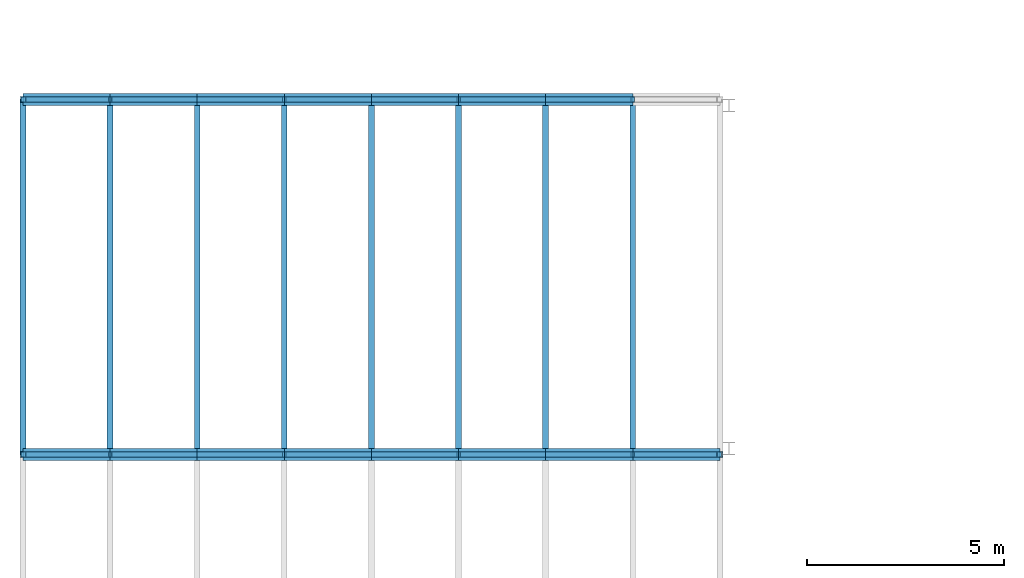
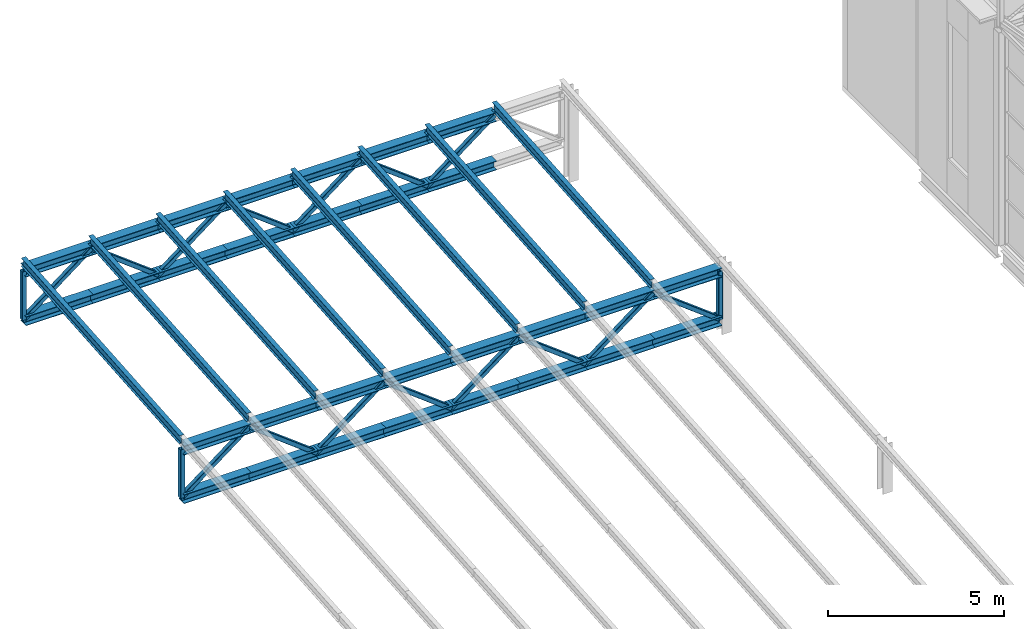
# One storey, part 38 of 90: 56 members.
"""IFC4 building model written with IfcOpenShell, lengths in metres."""

from ifc_helpers import new_model, si_unit, direction, frame, origin, origin_2d, place, context, subcontext, project, spatial, hollow_rectangle, i_section, extrude, material, material_profile, profile_set, type_object, element, save


model = new_model("IFC4")

# Units and contexts
model_context = context("Model", 3, precision=1e-05, world=origin(), true_north=direction((0.0, 1.0)))
body_context = subcontext(model_context, "Body", "Model", "MODEL_VIEW")
ifc_project = project(units=[si_unit("LENGTHUNIT", "METRE"), si_unit("AREAUNIT", "SQUARE_METRE"), si_unit("VOLUMEUNIT", "CUBIC_METRE"), si_unit("PLANEANGLEUNIT", "RADIAN"), si_unit("MASSUNIT", "GRAM", prefix="KILO")], contexts=[model_context])

# Site, building, storey
site_placement = place(None, origin())
site = spatial("IfcSite", under=ifc_project, at=site_placement, CompositionType="ELEMENT")
building_placement = place(site_placement, origin())
building = spatial("IfcBuilding", under=site, at=building_placement, Name="Halyard Row Museum", CompositionType="ELEMENT")
storey_placement = place(building_placement, frame((0.0, 0.0, 13.39990234375)))
storey = spatial("IfcBuildingStorey", under=building, at=storey_placement, Name="L03", CompositionType="ELEMENT", Elevation=13.39990234375)

# Members
ifc_material_1 = material(Name="Steel Grade 300", Category="steel")
ifc_material_profile_1 = material_profile(ifc_material_1, i_section(OverallWidth=0.14892578125, OverallDepth=0.298095703125, WebThickness=0.005615234375, FlangeThickness=0.008056640625, FilletRadius=0.012939453125, at=origin_2d()), Name="310UB32.0")
ifc_profile_set_1 = profile_set([ifc_material_profile_1], Name="Steel Grade 300")
member_type_1 = type_object("IfcMemberType", Name="Hall roof purlin 310UB32.0", PredefinedType="PURLIN", material=ifc_profile_set_1)
for number, where, z_axis, x_axis, name in (
    (1, (0.10009765625, 36.0, 2.580078125), (0.0, 0.996815536467, 0.079741998075), (-1.0, 0.0, 0.0), "Hall roof purlin H3 1"),
    (2, (2.30859375, 36.0, 2.580078125), (0.0, 0.996815536467, 0.079741998075), (-1.0, 0.0, 0.0), "Hall roof purlin H3 2"),
    (3, (4.517333984375, 36.0, 2.580078125), (0.0, 0.996815536467, 0.079741998075), (-1.0, 0.0, 0.0), "Hall roof purlin H3 3"),
    (4, (6.72607421875, 36.0, 2.580078125), (0.0, 0.996815536467, 0.079741998075), (-1.0, 0.0, 0.0), "Hall roof purlin H3 4"),
    (5, (8.934814453125, 36.0, 2.580078125), (0.0, 0.996815536467, 0.079741998075), (-1.0, 0.0, 0.0), "Hall roof purlin H3 5"),
    (6, (11.1435546875, 36.0, 2.580078125), (0.0, 0.996815536467, 0.079741998075), (-1.0, 0.0, 0.0), "Hall roof purlin H3 6"),
    (7, (13.35205078125, 36.0, 2.580078125), (0.0, 0.996815536467, 0.079741998075), (-1.0, 0.0, 0.0), "Hall roof purlin H3 7"),
    (8, (15.560791015625, 36.0, 2.580078125), (0.0, 0.996815536467, 0.079741998075), (-1.0, 0.0, 0.0), "Hall roof purlin H3 8"),
):
    element("IfcMember", number, at=place(storey_placement, frame(where, z_axis=z_axis, x_axis=x_axis)), inside=storey, type_object=member_type_1, Name=name, PredefinedType="PURLIN", context=body_context, shape_type="SweptSolid", body=[
        extrude(i_section(OverallWidth=0.14892578125, OverallDepth=0.298095703125, WebThickness=0.005615234375, FlangeThickness=0.008056640625, FilletRadius=0.012939453125, at=origin_2d()), origin(), (0.0, 0.0, 1.0), 9.02880859375),
    ])
ifc_material_2 = material(Name="Steel Grade 300", Category="steel")
ifc_material_profile_2 = material_profile(ifc_material_2, i_section(OverallWidth=0.306884765625, OverallDepth=0.314697265625, WebThickness=0.011962890625, FlangeThickness=0.018798828125, FilletRadius=0.0166015625, at=origin_2d()), Name="310UC118")
ifc_profile_set_2 = profile_set([ifc_material_profile_2], Name="Steel Grade 300")
member_type_2 = type_object("IfcMemberType", Name="Truss chord 310UC118 bottom hall", PredefinedType="CHORD", material=ifc_profile_set_2)
member_1_placement = place(storey_placement, frame((0.10009765625, 36.0, 0.587890625), z_axis=(1.0, 0.0, 0.0), x_axis=(0.0, 1.0, 0.0)))
element("IfcMember", 9, at=member_1_placement, inside=storey, type_object=member_type_2, Name="V3-RT3 bottom chord 1", PredefinedType="CHORD", context=body_context, shape_type="SweptSolid", body=[
    extrude(i_section(OverallWidth=0.306884765625, OverallDepth=0.314697265625, WebThickness=0.011962890625, FlangeThickness=0.018798828125, FilletRadius=0.0166015625, at=origin_2d()), origin(), (0.0, 0.0, 1.0), 2.20849609375),
])
for number, where, z_axis, x_axis, name in (
    (10, (2.30859375, 36.0, 0.587890625), (1.0, 0.0, 0.0), (0.0, 1.0, 0.0), "V3-RT3 bottom chord 2"),
    (11, (4.517333984375, 36.0, 0.587890625), (1.0, 0.0, 0.0), (0.0, 1.0, 0.0), "V3-RT3 bottom chord 3"),
    (12, (6.72607421875, 36.0, 0.587890625), (1.0, 0.0, 0.0), (0.0, 1.0, 0.0), "V3-RT3 bottom chord 4"),
    (13, (8.934814453125, 36.0, 0.587890625), (1.0, 0.0, 0.0), (0.0, 1.0, 0.0), "V3-RT3 bottom chord 5"),
):
    element("IfcMember", number, at=place(storey_placement, frame(where, z_axis=z_axis, x_axis=x_axis)), inside=storey, type_object=member_type_2, Name=name, PredefinedType="CHORD", context=body_context, shape_type="SweptSolid", body=[
        extrude(i_section(OverallWidth=0.306884765625, OverallDepth=0.314697265625, WebThickness=0.011962890625, FlangeThickness=0.018798828125, FilletRadius=0.0166015625, at=origin_2d()), origin(), (0.0, 0.0, 1.0), 2.208740234375),
    ])
member_2_placement = place(storey_placement, frame((11.1435546875, 36.0, 0.587890625), z_axis=(1.0, 0.0, 0.0), x_axis=(0.0, 1.0, 0.0)))
element("IfcMember", 14, at=member_2_placement, inside=storey, type_object=member_type_2, Name="V3-RT3 bottom chord 6", PredefinedType="CHORD", context=body_context, shape_type="SweptSolid", body=[
    extrude(i_section(OverallWidth=0.306884765625, OverallDepth=0.314697265625, WebThickness=0.011962890625, FlangeThickness=0.018798828125, FilletRadius=0.0166015625, at=origin_2d()), origin(), (0.0, 0.0, 1.0), 2.20849609375),
])
for number, where, z_axis, x_axis, name in (
    (15, (13.35205078125, 36.0, 0.587890625), (1.0, 0.0, 0.0), (0.0, 1.0, 0.0), "V3-RT3 bottom chord 7"),
    (16, (15.560791015625, 36.0, 0.587890625), (1.0, 0.0, 0.0), (0.0, 1.0, 0.0), "V3-RT3 bottom chord 8"),
):
    element("IfcMember", number, at=place(storey_placement, frame(where, z_axis=z_axis, x_axis=x_axis)), inside=storey, type_object=member_type_2, Name=name, PredefinedType="CHORD", context=body_context, shape_type="SweptSolid", body=[
        extrude(i_section(OverallWidth=0.306884765625, OverallDepth=0.314697265625, WebThickness=0.011962890625, FlangeThickness=0.018798828125, FilletRadius=0.0166015625, at=origin_2d()), origin(), (0.0, 0.0, 1.0), 2.208740234375),
    ])
member_3_placement = place(storey_placement, frame((0.10009765625, 45.0, 1.307861328125), z_axis=(1.0, 0.0, 0.0), x_axis=(0.0, 1.0, 0.0)))
element("IfcMember", 17, at=member_3_placement, inside=storey, type_object=member_type_2, Name="V3-RT4 bottom chord 1", PredefinedType="CHORD", context=body_context, shape_type="SweptSolid", body=[
    extrude(i_section(OverallWidth=0.306884765625, OverallDepth=0.314697265625, WebThickness=0.011962890625, FlangeThickness=0.018798828125, FilletRadius=0.0166015625, at=origin_2d()), origin(), (0.0, 0.0, 1.0), 2.20849609375),
])
for number, where, z_axis, x_axis, name in (
    (18, (2.30859375, 45.0, 1.307861328125), (1.0, 0.0, 0.0), (0.0, 1.0, 0.0), "V3-RT4 bottom chord 2"),
    (19, (4.517333984375, 45.0, 1.307861328125), (1.0, 0.0, 0.0), (0.0, 1.0, 0.0), "V3-RT4 bottom chord 3"),
    (20, (6.72607421875, 45.0, 1.307861328125), (1.0, 0.0, 0.0), (0.0, 1.0, 0.0), "V3-RT4 bottom chord 4"),
    (21, (8.934814453125, 45.0, 1.307861328125), (1.0, 0.0, 0.0), (0.0, 1.0, 0.0), "V3-RT4 bottom chord 5"),
):
    element("IfcMember", number, at=place(storey_placement, frame(where, z_axis=z_axis, x_axis=x_axis)), inside=storey, type_object=member_type_2, Name=name, PredefinedType="CHORD", context=body_context, shape_type="SweptSolid", body=[
        extrude(i_section(OverallWidth=0.306884765625, OverallDepth=0.314697265625, WebThickness=0.011962890625, FlangeThickness=0.018798828125, FilletRadius=0.0166015625, at=origin_2d()), origin(), (0.0, 0.0, 1.0), 2.208740234375),
    ])
member_4_placement = place(storey_placement, frame((11.1435546875, 45.0, 1.307861328125), z_axis=(1.0, 0.0, 0.0), x_axis=(0.0, 1.0, 0.0)))
element("IfcMember", 22, at=member_4_placement, inside=storey, type_object=member_type_2, Name="V3-RT4 bottom chord 6", PredefinedType="CHORD", context=body_context, shape_type="SweptSolid", body=[
    extrude(i_section(OverallWidth=0.306884765625, OverallDepth=0.314697265625, WebThickness=0.011962890625, FlangeThickness=0.018798828125, FilletRadius=0.0166015625, at=origin_2d()), origin(), (0.0, 0.0, 1.0), 2.20849609375),
])
member_5_placement = place(storey_placement, frame((13.35205078125, 45.0, 1.307861328125), z_axis=(1.0, 0.0, 0.0), x_axis=(0.0, 1.0, 0.0)))
element("IfcMember", 23, at=member_5_placement, inside=storey, type_object=member_type_2, Name="V3-RT4 bottom chord 7", PredefinedType="CHORD", context=body_context, shape_type="SweptSolid", body=[
    extrude(i_section(OverallWidth=0.306884765625, OverallDepth=0.314697265625, WebThickness=0.011962890625, FlangeThickness=0.018798828125, FilletRadius=0.0166015625, at=origin_2d()), origin(), (0.0, 0.0, 1.0), 2.208740234375),
])
ifc_material_3 = material(Name="Steel Grade 300", Category="steel")
ifc_material_profile_3 = material_profile(ifc_material_3, i_section(OverallWidth=0.306884765625, OverallDepth=0.314697265625, WebThickness=0.011962890625, FlangeThickness=0.018798828125, FilletRadius=0.0166015625, at=origin_2d()), Name="310UC118")
ifc_profile_set_3 = profile_set([ifc_material_profile_3], Name="Steel Grade 300")
member_type_3 = type_object("IfcMemberType", Name="Truss chord 310UC118 top hall", PredefinedType="CHORD", material=ifc_profile_set_3)
member_6_placement = place(storey_placement, frame((0.10009765625, 36.0, 2.2734375), z_axis=(1.0, 0.0, 0.0), x_axis=(0.0, 1.0, 0.0)))
element("IfcMember", 24, at=member_6_placement, inside=storey, type_object=member_type_3, Name="V3-RT3 top chord 1", PredefinedType="CHORD", context=body_context, shape_type="SweptSolid", body=[
    extrude(i_section(OverallWidth=0.306884765625, OverallDepth=0.314697265625, WebThickness=0.011962890625, FlangeThickness=0.018798828125, FilletRadius=0.0166015625, at=origin_2d()), origin(), (0.0, 0.0, 1.0), 2.20849609375),
])
for number, where, z_axis, x_axis, name in (
    (25, (2.30859375, 36.0, 2.2734375), (1.0, 0.0, 0.0), (0.0, 1.0, 0.0), "V3-RT3 top chord 2"),
    (26, (4.517333984375, 36.0, 2.2734375), (1.0, 0.0, 0.0), (0.0, 1.0, 0.0), "V3-RT3 top chord 3"),
    (27, (6.72607421875, 36.0, 2.2734375), (1.0, 0.0, 0.0), (0.0, 1.0, 0.0), "V3-RT3 top chord 4"),
    (28, (8.934814453125, 36.0, 2.2734375), (1.0, 0.0, 0.0), (0.0, 1.0, 0.0), "V3-RT3 top chord 5"),
):
    element("IfcMember", number, at=place(storey_placement, frame(where, z_axis=z_axis, x_axis=x_axis)), inside=storey, type_object=member_type_3, Name=name, PredefinedType="CHORD", context=body_context, shape_type="SweptSolid", body=[
        extrude(i_section(OverallWidth=0.306884765625, OverallDepth=0.314697265625, WebThickness=0.011962890625, FlangeThickness=0.018798828125, FilletRadius=0.0166015625, at=origin_2d()), origin(), (0.0, 0.0, 1.0), 2.208740234375),
    ])
member_7_placement = place(storey_placement, frame((11.1435546875, 36.0, 2.2734375), z_axis=(1.0, 0.0, 0.0), x_axis=(0.0, 1.0, 0.0)))
element("IfcMember", 29, at=member_7_placement, inside=storey, type_object=member_type_3, Name="V3-RT3 top chord 6", PredefinedType="CHORD", context=body_context, shape_type="SweptSolid", body=[
    extrude(i_section(OverallWidth=0.306884765625, OverallDepth=0.314697265625, WebThickness=0.011962890625, FlangeThickness=0.018798828125, FilletRadius=0.0166015625, at=origin_2d()), origin(), (0.0, 0.0, 1.0), 2.20849609375),
])
for number, where, z_axis, x_axis, name in (
    (30, (13.35205078125, 36.0, 2.2734375), (1.0, 0.0, 0.0), (0.0, 1.0, 0.0), "V3-RT3 top chord 7"),
    (31, (15.560791015625, 36.0, 2.2734375), (1.0, 0.0, 0.0), (0.0, 1.0, 0.0), "V3-RT3 top chord 8"),
):
    element("IfcMember", number, at=place(storey_placement, frame(where, z_axis=z_axis, x_axis=x_axis)), inside=storey, type_object=member_type_3, Name=name, PredefinedType="CHORD", context=body_context, shape_type="SweptSolid", body=[
        extrude(i_section(OverallWidth=0.306884765625, OverallDepth=0.314697265625, WebThickness=0.011962890625, FlangeThickness=0.018798828125, FilletRadius=0.0166015625, at=origin_2d()), origin(), (0.0, 0.0, 1.0), 2.208740234375),
    ])
member_8_placement = place(storey_placement, frame((0.10009765625, 45.0, 2.993408203125), z_axis=(1.0, 0.0, 0.0), x_axis=(0.0, 1.0, 0.0)))
element("IfcMember", 32, at=member_8_placement, inside=storey, type_object=member_type_3, Name="V3-RT4 top chord 1", PredefinedType="CHORD", context=body_context, shape_type="SweptSolid", body=[
    extrude(i_section(OverallWidth=0.306884765625, OverallDepth=0.314697265625, WebThickness=0.011962890625, FlangeThickness=0.018798828125, FilletRadius=0.0166015625, at=origin_2d()), origin(), (0.0, 0.0, 1.0), 2.20849609375),
])
for number, where, z_axis, x_axis, name in (
    (33, (2.30859375, 45.0, 2.993408203125), (1.0, 0.0, 0.0), (0.0, 1.0, 0.0), "V3-RT4 top chord 2"),
    (34, (4.517333984375, 45.0, 2.993408203125), (1.0, 0.0, 0.0), (0.0, 1.0, 0.0), "V3-RT4 top chord 3"),
    (35, (6.72607421875, 45.0, 2.993408203125), (1.0, 0.0, 0.0), (0.0, 1.0, 0.0), "V3-RT4 top chord 4"),
    (36, (8.934814453125, 45.0, 2.993408203125), (1.0, 0.0, 0.0), (0.0, 1.0, 0.0), "V3-RT4 top chord 5"),
):
    element("IfcMember", number, at=place(storey_placement, frame(where, z_axis=z_axis, x_axis=x_axis)), inside=storey, type_object=member_type_3, Name=name, PredefinedType="CHORD", context=body_context, shape_type="SweptSolid", body=[
        extrude(i_section(OverallWidth=0.306884765625, OverallDepth=0.314697265625, WebThickness=0.011962890625, FlangeThickness=0.018798828125, FilletRadius=0.0166015625, at=origin_2d()), origin(), (0.0, 0.0, 1.0), 2.208740234375),
    ])
member_9_placement = place(storey_placement, frame((11.1435546875, 45.0, 2.993408203125), z_axis=(1.0, 0.0, 0.0), x_axis=(0.0, 1.0, 0.0)))
element("IfcMember", 37, at=member_9_placement, inside=storey, type_object=member_type_3, Name="V3-RT4 top chord 6", PredefinedType="CHORD", context=body_context, shape_type="SweptSolid", body=[
    extrude(i_section(OverallWidth=0.306884765625, OverallDepth=0.314697265625, WebThickness=0.011962890625, FlangeThickness=0.018798828125, FilletRadius=0.0166015625, at=origin_2d()), origin(), (0.0, 0.0, 1.0), 2.20849609375),
])
member_10_placement = place(storey_placement, frame((13.35205078125, 45.0, 2.993408203125), z_axis=(1.0, 0.0, 0.0), x_axis=(0.0, 1.0, 0.0)))
element("IfcMember", 38, at=member_10_placement, inside=storey, type_object=member_type_3, Name="V3-RT4 top chord 7", PredefinedType="CHORD", context=body_context, shape_type="SweptSolid", body=[
    extrude(i_section(OverallWidth=0.306884765625, OverallDepth=0.314697265625, WebThickness=0.011962890625, FlangeThickness=0.018798828125, FilletRadius=0.0166015625, at=origin_2d()), origin(), (0.0, 0.0, 1.0), 2.208740234375),
])
ifc_material_4 = material(Name="Steel Grade C350L0", Category="steel")
ifc_material_profile_4 = material_profile(ifc_material_4, hollow_rectangle(XDim=0.14990234375, YDim=0.14990234375, WallThickness=0.008056640625, InnerFilletRadius=0.011962890625, OuterFilletRadius=0.02001953125, at=origin_2d()), Name="150x150x8.0SHS")
ifc_profile_set_4 = profile_set([ifc_material_profile_4], Name="Steel Grade C350L0")
member_type_4 = type_object("IfcMemberType", Name="Truss diagonal 150x150x8.0SHS", PredefinedType="BRACE", material=ifc_profile_set_4)
for number, where, z_axis, x_axis, name in (
    (39, (0.10009765625, 36.0, 0.587890625), (0.794931170532, 0.0, 0.606699624293), (0.0, 1.0, 0.0), "V3-RT3 diagonal 1"),
    (40, (2.30859375, 36.0, 2.2734375), (0.794963513129, 0.0, -0.606657244903), (0.0, 1.0, 0.0), "V3-RT3 diagonal 2"),
    (41, (4.517333984375, 36.0, 0.587890625), (0.794963513129, 0.0, 0.606657244903), (0.0, 1.0, 0.0), "V3-RT3 diagonal 3"),
    (42, (6.72607421875, 36.0, 2.2734375), (0.794963513129, 0.0, -0.606657244903), (0.0, 1.0, 0.0), "V3-RT3 diagonal 4"),
    (43, (8.934814453125, 36.0, 0.587890625), (0.794963513129, 0.0, 0.606657244903), (0.0, 1.0, 0.0), "V3-RT3 diagonal 5"),
    (44, (11.1435546875, 36.0, 2.2734375), (0.794931170532, 0.0, -0.606699624293), (0.0, 1.0, 0.0), "V3-RT3 diagonal 6"),
    (45, (13.35205078125, 36.0, 0.587890625), (0.794963513129, 0.0, 0.606657244903), (0.0, 1.0, 0.0), "V3-RT3 diagonal 7"),
    (46, (15.560791015625, 36.0, 2.2734375), (0.794963513129, 0.0, -0.606657244903), (0.0, 1.0, 0.0), "V3-RT3 diagonal 8"),
    (47, (0.10009765625, 45.0, 1.307861328125), (0.794931170532, 0.0, 0.606699624293), (0.0, 1.0, 0.0), "V3-RT4 diagonal 1"),
    (48, (2.30859375, 45.0, 2.993408203125), (0.794963513129, 0.0, -0.606657244903), (0.0, 1.0, 0.0), "V3-RT4 diagonal 2"),
    (49, (4.517333984375, 45.0, 1.307861328125), (0.794963513129, 0.0, 0.606657244903), (0.0, 1.0, 0.0), "V3-RT4 diagonal 3"),
    (50, (6.72607421875, 45.0, 2.993408203125), (0.794963513129, 0.0, -0.606657244903), (0.0, 1.0, 0.0), "V3-RT4 diagonal 4"),
    (51, (8.934814453125, 45.0, 1.307861328125), (0.794963513129, 0.0, 0.606657244903), (0.0, 1.0, 0.0), "V3-RT4 diagonal 5"),
    (52, (11.1435546875, 45.0, 2.993408203125), (0.794931170532, 0.0, -0.606699624293), (0.0, 1.0, 0.0), "V3-RT4 diagonal 6"),
    (53, (13.35205078125, 45.0, 1.307861328125), (0.794963513129, 0.0, 0.606657244903), (0.0, 1.0, 0.0), "V3-RT4 diagonal 7"),
):
    element("IfcMember", number, at=place(storey_placement, frame(where, z_axis=z_axis, x_axis=x_axis)), inside=storey, type_object=member_type_4, Name=name, PredefinedType="BRACE", context=body_context, shape_type="SweptSolid", body=[
        extrude(hollow_rectangle(XDim=0.14990234375, YDim=0.14990234375, WallThickness=0.008056640625, InnerFilletRadius=0.011962890625, OuterFilletRadius=0.02001953125, at=origin_2d()), origin(), (0.0, 0.0, 1.0), 2.7783203125),
    ])
ifc_material_5 = material(Name="Steel Grade C350L0", Category="steel")
ifc_material_profile_5 = material_profile(ifc_material_5, hollow_rectangle(XDim=0.14990234375, YDim=0.14990234375, WallThickness=0.008056640625, InnerFilletRadius=0.011962890625, OuterFilletRadius=0.02001953125, at=origin_2d()), Name="150x150x8.0SHS")
ifc_profile_set_5 = profile_set([ifc_material_profile_5], Name="Steel Grade C350L0")
member_type_5 = type_object("IfcMemberType", Name="Truss post 150x150x8.0SHS", PredefinedType="POST", material=ifc_profile_set_5)
for number, where, z_axis, x_axis, name in (
    (54, (0.10009765625, 36.0, 0.587890625), (0.0, 0.0, 1.0), (1.0, 0.0, 0.0), "V3-RT3 end post 1"),
    (55, (17.76953125, 36.0, 0.587890625), (0.0, 0.0, 1.0), (1.0, 0.0, 0.0), "V3-RT3 end post 2"),
    (56, (0.10009765625, 45.0, 1.307861328125), (0.0, 0.0, 1.0), (1.0, 0.0, 0.0), "V3-RT4 end post 1"),
):
    element("IfcMember", number, at=place(storey_placement, frame(where, z_axis=z_axis, x_axis=x_axis)), inside=storey, type_object=member_type_5, Name=name, PredefinedType="POST", context=body_context, shape_type="SweptSolid", body=[
        extrude(hollow_rectangle(XDim=0.14990234375, YDim=0.14990234375, WallThickness=0.008056640625, InnerFilletRadius=0.011962890625, OuterFilletRadius=0.02001953125, at=origin_2d()), origin(), (0.0, 0.0, 1.0), 1.685546875),
    ])

save(model, "model.ifc")
